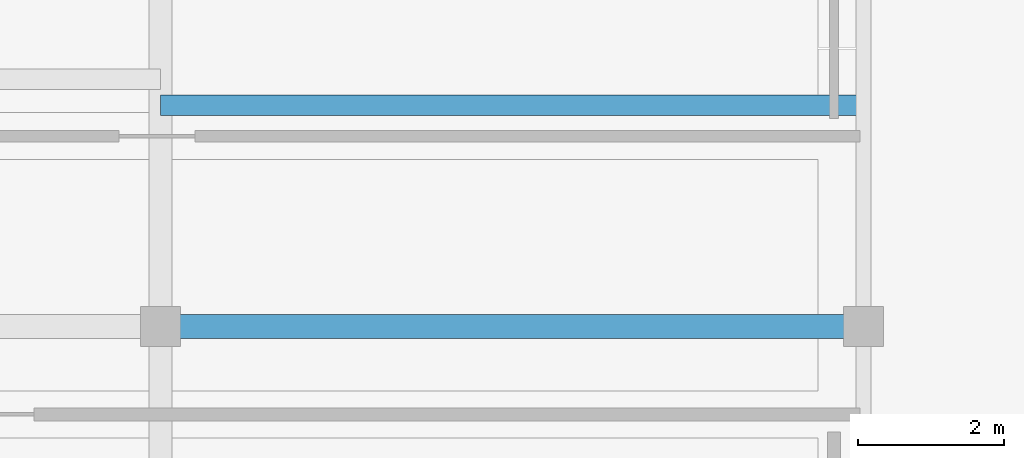
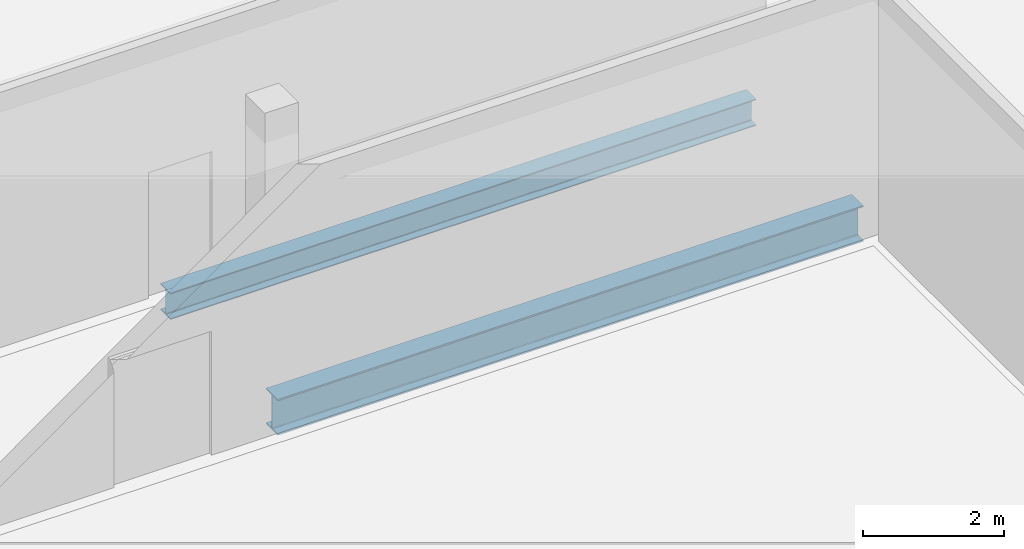
# One storey, part 91 of 157: 2 beams.
"""IFC4 building model written with IfcOpenShell, lengths in metres."""

from ifc_helpers import new_model, si_unit, direction, frame, origin, origin_2d, place, context, subcontext, project, spatial, i_section, extrude, material, material_profile, profile_set, type_object, element, save


model = new_model("IFC4")

# Units and contexts
model_context = context("Model", 3, precision=1e-05, world=origin(), true_north=direction((0.0, 1.0)))
body_context = subcontext(model_context, "Body", "Model", "MODEL_VIEW")
ifc_project = project(units=[si_unit("LENGTHUNIT", "METRE"), si_unit("AREAUNIT", "SQUARE_METRE"), si_unit("VOLUMEUNIT", "CUBIC_METRE"), si_unit("PLANEANGLEUNIT", "RADIAN"), si_unit("MASSUNIT", "GRAM", prefix="KILO")], contexts=[model_context])

# Site, building, storey
site_placement = place(None, origin())
site = spatial("IfcSite", under=ifc_project, at=site_placement, CompositionType="ELEMENT")
building_placement = place(site_placement, origin())
building = spatial("IfcBuilding", under=site, at=building_placement, Name="Chalmorin Arch Market", CompositionType="ELEMENT")
storey_placement = place(building_placement, frame((0.0, 0.0, 4.800048828125)))
storey = spatial("IfcBuildingStorey", under=building, at=storey_placement, Name="L01", CompositionType="ELEMENT", Elevation=4.800048828125)

# Beams
ifc_material = material(Name="Steel A992 Grade 50", Category="steel")
ifc_material_profile_1 = material_profile(ifc_material, i_section(OverallWidth=0.326904296875, OverallDepth=0.6220703125, WebThickness=0.015380859375, FlangeThickness=0.0244140625, FilletRadius=0.02392578125, at=origin_2d()), Name="W24X131")
ifc_profile_set_1 = profile_set([ifc_material_profile_1], Name="Steel A992 Grade 50")
beam_type_1 = type_object("IfcBeamType", Name="HeavyFloorGirder-W24X131", PredefinedType="BEAM", material=ifc_profile_set_1)
beam_1_placement = place(storey_placement, frame((105.60009765625, 91.199951171875, -0.633056640625), z_axis=(1.0, 0.0, 0.0), x_axis=(0.0, 1.0, 0.0)))
element("IfcBeam", 1, at=beam_1_placement, inside=storey, type_object=beam_type_1, Name="BG-W24C-0952", PredefinedType="BEAM", context=body_context, shape_type="SweptSolid", body=[
    extrude(i_section(OverallWidth=0.326904296875, OverallDepth=0.6220703125, WebThickness=0.015380859375, FlangeThickness=0.0244140625, FilletRadius=0.02392578125, at=origin_2d()), origin(), (0.0, 0.0, 1.0), 9.599853515625),
])
ifc_material_profile_2 = material_profile(ifc_material, i_section(OverallWidth=0.280029296875, OverallDepth=0.462890625, WebThickness=0.0107421875, FlangeThickness=0.017333984375, FilletRadius=0.02001953125, at=origin_2d()), Name="W18X76")
ifc_profile_set_2 = profile_set([ifc_material_profile_2], Name="Steel A992 Grade 50")
beam_type_2 = type_object("IfcBeamType", Name="WorkshopSteelBeam-W18X76", PredefinedType="BEAM", material=ifc_profile_set_2)
beam_2_placement = place(storey_placement, frame((105.60009765625, 94.219970703125, -0.553466796875), z_axis=(1.0, 0.0, 0.0), x_axis=(0.0, 1.0, 0.0)))
element("IfcBeam", 2, at=beam_2_placement, inside=storey, type_object=beam_type_2, Name="BM-W18C-1018", PredefinedType="BEAM", context=body_context, shape_type="SweptSolid", body=[
    extrude(i_section(OverallWidth=0.280029296875, OverallDepth=0.462890625, WebThickness=0.0107421875, FlangeThickness=0.017333984375, FilletRadius=0.02001953125, at=origin_2d()), origin(), (0.0, 0.0, 1.0), 9.599853515625),
])

save(model, "model.ifc")
